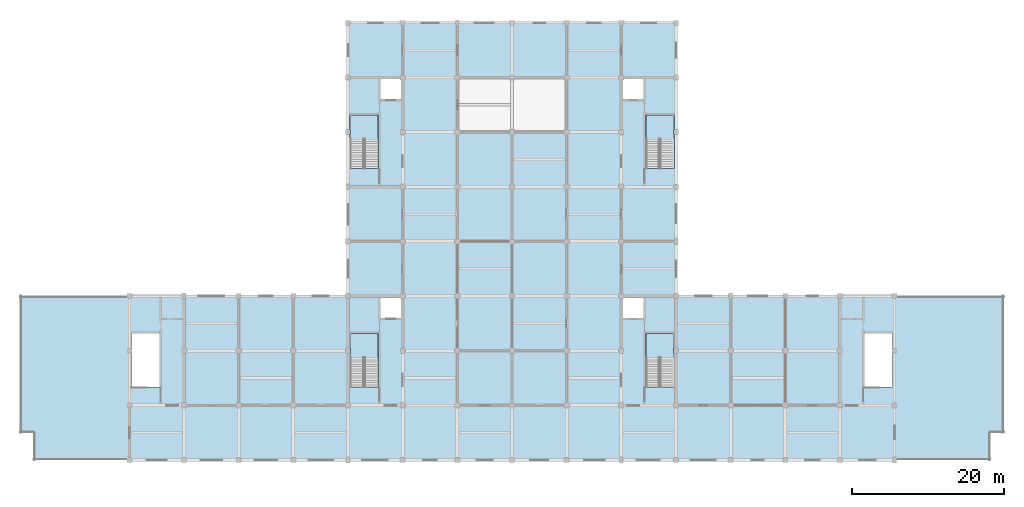
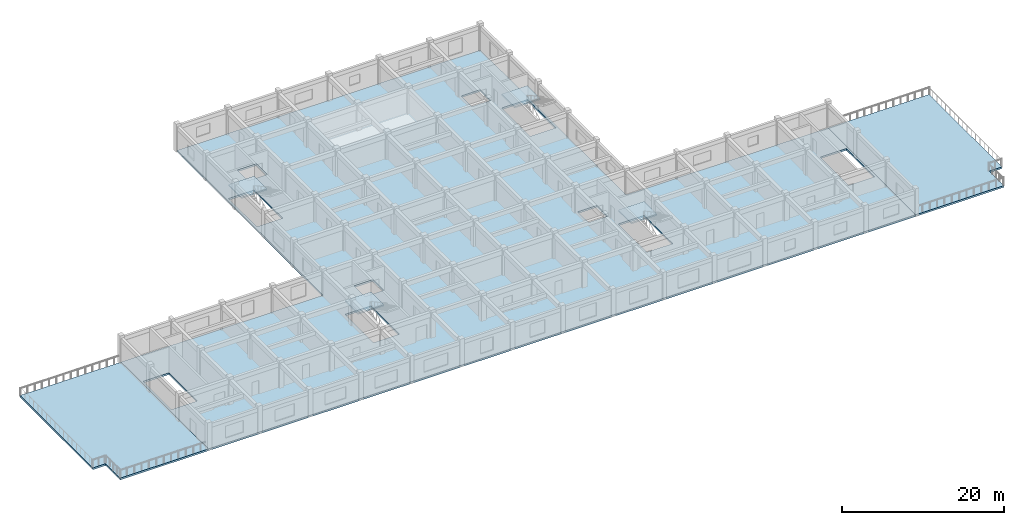
# One storey, part 3 of 10: 7 slabs, 4 elements without a shape of their own.
"""IFC4 building model written with IfcOpenShell, lengths in metres."""

import ifcopenshell
import ifcopenshell.guid

model = None  # the IFC model being written
_history = None  # IfcOwnerHistory: only IFC2X3 demands one
_inside = {}  # id of a spatial element -> (the spatial element, [elements in it])
_under = {}  # id of a project, library or spatial element -> (it, [spatial elements below it])
_declared = {}  # id of a project -> (the project, [libraries it declares])
_typed = {}  # id of a type object -> (the type object, [elements of that type])
_made_of = {}  # id of a material, layer set ... -> (it, [elements and type objects made of it])


def new_model(schema):
    """Start an empty IFC model of exactly this schema.

    Asked for "IFC4X3", IfcOpenShell would pick the latest addendum, in which some entities
    have other attributes; the version numbers below select the first issue.
    IFC2X3 requires an IfcOwnerHistory on every rooted entity: one is made here for all.
    """
    global model, _history
    if schema == "IFC4X3":
        model = ifcopenshell.file(schema_version=(4, 3, 0, 0))
    else:
        model = ifcopenshell.file(schema=schema)
    _inside.clear()
    _under.clear()
    _declared.clear()
    _typed.clear()
    _made_of.clear()
    _history = None
    if model.schema == "IFC2X3":
        org = make("IfcOrganization", Name="unknown")
        user = make(
            "IfcPersonAndOrganization",
            ThePerson=make("IfcPerson", FamilyName="unknown"),
            TheOrganization=org,
        )
        app = make(
            "IfcApplication",
            ApplicationDeveloper=org,
            Version="unknown",
            ApplicationFullName="unknown",
            ApplicationIdentifier="unknown",
        )
        _history = make(
            "IfcOwnerHistory",
            OwningUser=user,
            OwningApplication=app,
            ChangeAction="ADDED",
            CreationDate=0,
        )
    return model


def make(cls, **values):
    """One entity of the class cls with the attributes given. An attribute that is None is left unset."""
    return model.create_entity(
        cls, **{name: value for name, value in values.items() if value is not None}
    )


def rooted(cls, **values):
    """An entity with a GlobalId (a new one), such as an element, a storey or a relation."""
    return make(cls, GlobalId=ifcopenshell.guid.new(), OwnerHistory=_history, **values)


def si_unit(unit_type, name, prefix=None):
    """IfcSIUnit, for example si_unit("LENGTHUNIT", "METRE", prefix="MILLI")."""
    return make("IfcSIUnit", UnitType=unit_type, Prefix=prefix, Name=name)


def assignment(units):
    """IfcUnitAssignment: the units of a project."""
    return None if units is None else make("IfcUnitAssignment", Units=units)


def point(xyz):
    """IfcCartesianPoint."""
    return None if xyz is None else make("IfcCartesianPoint", Coordinates=xyz)


def direction(xyz):
    """IfcDirection."""
    return None if xyz is None else make("IfcDirection", DirectionRatios=xyz)


def frame(location, z_axis=None, x_axis=None):
    """IfcAxis2Placement3D, a coordinate frame: its origin and axes. An axis left out is left unset."""
    return make(
        "IfcAxis2Placement3D",
        Location=point(location),
        Axis=direction(z_axis),
        RefDirection=direction(x_axis),
    )


def origin():
    """The frame at (0, 0, 0) with its axes left unset."""
    return frame((0.0, 0.0, 0.0))


def place(relative_to, where):
    """IfcLocalPlacement: puts the frame where relative to a parent placement (None: the world)."""
    return make(
        "IfcLocalPlacement", PlacementRelTo=relative_to, RelativePlacement=where
    )


def context(
    kind, dimensions, precision=None, world=None, true_north=None, identifier=None
):
    """IfcGeometricRepresentationContext, for example the 3D "Model" context."""
    return make(
        "IfcGeometricRepresentationContext",
        ContextIdentifier=identifier,
        ContextType=kind,
        CoordinateSpaceDimension=dimensions,
        Precision=precision,
        WorldCoordinateSystem=world,
        TrueNorth=true_north,
    )


def subcontext(parent, identifier, kind, view, scale=None):
    """IfcGeometricRepresentationSubContext, for example "Body" below "Model"."""
    return make(
        "IfcGeometricRepresentationSubContext",
        ContextIdentifier=identifier,
        ContextType=kind,
        ParentContext=parent,
        TargetScale=scale,
        TargetView=view,
    )


def project(units=None, contexts=None):
    """IfcProject with its units and contexts."""
    return rooted(
        "IfcProject",
        Name="project",
        RepresentationContexts=contexts,
        UnitsInContext=assignment(units),
    )


def spatial(cls, under=None, at=None, **own):
    """A site, building, storey or space (cls), placed at a placement, below another one or the project."""
    s = rooted(cls, ObjectPlacement=at, **own)
    if under is not None:
        _under.setdefault(under.id(), (under, []))[1].append(s)
    return s


def polyline(points):
    """IfcPolyline through the points."""
    return make("IfcPolyline", Points=[point(p) for p in points])


def outline(outer, holes=None, kind="AREA"):
    """IfcArbitraryClosedProfileDef: a profile drawn as a closed curve; with holes, ...WithVoids."""
    if holes is None:
        return make("IfcArbitraryClosedProfileDef", ProfileType=kind, OuterCurve=outer)
    return make(
        "IfcArbitraryProfileDefWithVoids",
        ProfileType=kind,
        OuterCurve=outer,
        InnerCurves=holes,
    )


def extrude(swept, where, along, depth):
    """IfcExtrudedAreaSolid: the profile swept, set in the frame where, extruded along a direction by depth."""
    return make(
        "IfcExtrudedAreaSolid",
        SweptArea=swept,
        Position=where,
        ExtrudedDirection=direction(along),
        Depth=depth,
    )


def shape(context_of_items, identifier, shape_type, items):
    """IfcShapeRepresentation: the items that make up one representation, for example the "Body"."""
    return make(
        "IfcShapeRepresentation",
        ContextOfItems=context_of_items,
        RepresentationIdentifier=identifier,
        RepresentationType=shape_type,
        Items=items,
    )


def material(Name=None, Category=None):
    """IfcMaterial."""
    return make("IfcMaterial", Name=Name, Category=Category)


def layer(
    of_material, thickness, ventilated=None, Name=None, Category=None, Priority=None
):
    """IfcMaterialLayer: one layer of a wall or slab, of a material (None: an air gap)."""
    return make(
        "IfcMaterialLayer",
        Material=of_material,
        LayerThickness=thickness,
        IsVentilated=ventilated,
        Name=Name,
        Category=Category,
        Priority=Priority,
    )


def layer_set(layers, Name=None):
    """IfcMaterialLayerSet."""
    return make("IfcMaterialLayerSet", MaterialLayers=layers, LayerSetName=Name)


def made_of(thing, what):
    """Note that an element or type object is made of a material, layer set ...; save() writes the relation."""
    if what is not None:
        _made_of.setdefault(what.id(), (what, []))[1].append(thing)
    return thing


def type_object(cls, material=None, **own):
    """A type object (cls), such as IfcWallType, which elements share."""
    return made_of(rooted(cls, **own), material)


def element(
    cls,
    number,
    at=None,
    inside=None,
    cuts=None,
    type_object=None,
    material=None,
    context=None,
    identifier="Body",
    shape_type=None,
    held_by="IfcProductDefinitionShape",
    body=None,
    shapes=None,
    **own,
):
    """One element of the class cls, such as IfcWall. Its Tag is "e" and its number.

    at: its placement. inside: the storey or other place that contains it. cuts: it is an
    opening in that element (IfcRelVoidsElement). A single representation is given by context,
    identifier, shape_type and body (its items); several are given by shapes. held_by: the class
    of the entity that holds the representations. save() writes the other relations.
    """
    e = rooted(cls, Tag="e%d" % number, ObjectPlacement=at, **own)
    if body is not None:
        shapes = [shape(context, identifier, shape_type, body)]
    if shapes is not None:
        e.Representation = make(held_by, Representations=shapes)
    if inside is not None:
        _inside.setdefault(inside.id(), (inside, []))[1].append(e)
    if cuts is not None:
        rooted(
            "IfcRelVoidsElement", RelatingBuildingElement=cuts, RelatedOpeningElement=e
        )
    if type_object is not None:
        _typed.setdefault(type_object.id(), (type_object, []))[1].append(e)
    return made_of(e, material)


def aggregate(whole, parts):
    """IfcRelAggregates: a whole, such as a stair, and the parts it consists of."""
    return rooted("IfcRelAggregates", RelatingObject=whole, RelatedObjects=parts)


def save(model, path):
    """Write the relations noted so far, then the file.

    IfcRelAggregates (storeys below a building ...), IfcRelContainedInSpatialStructure (elements
    in a storey), IfcRelDefinesByType, IfcRelAssociatesMaterial and IfcRelDeclares: one each for
    every whole, place, type object, material and project.
    """
    for whole, parts in _under.values():
        aggregate(whole, parts)
    for where, things in _inside.values():
        rooted(
            "IfcRelContainedInSpatialStructure",
            RelatedElements=things,
            RelatingStructure=where,
        )
    for kind, things in _typed.values():
        rooted("IfcRelDefinesByType", RelatedObjects=things, RelatingType=kind)
    for what, things in _made_of.values():
        rooted("IfcRelAssociatesMaterial", RelatedObjects=things, RelatingMaterial=what)
    for by, libraries in _declared.values():
        rooted("IfcRelDeclares", RelatingContext=by, RelatedDefinitions=libraries)
    model.write(path)


model = new_model("IFC4")

# Units and contexts
model_context = context("Model", 3, precision=1e-05, world=origin(), true_north=direction((0.0, 1.0)))
body_context = subcontext(model_context, "Body", "Model", "MODEL_VIEW")
ifc_project = project(units=[si_unit("LENGTHUNIT", "METRE"), si_unit("AREAUNIT", "SQUARE_METRE"), si_unit("VOLUMEUNIT", "CUBIC_METRE"), si_unit("PLANEANGLEUNIT", "RADIAN"), si_unit("MASSUNIT", "GRAM", prefix="KILO")], contexts=[model_context])

# Site, building, storey
site_placement = place(None, origin())
site = spatial("IfcSite", under=ifc_project, at=site_placement, CompositionType="ELEMENT")
building_placement = place(site_placement, origin())
building = spatial("IfcBuilding", under=site, at=building_placement, Name="Cendaluz Park School", CompositionType="ELEMENT")
storey_placement = place(building_placement, frame((0.0, 0.0, 30.60009765625)))
storey = spatial("IfcBuildingStorey", under=building, at=storey_placement, Name="L07", CompositionType="ELEMENT", Elevation=30.60009765625)

# Slab
ifc_material = material(Name="Concrete C40/50", Category="concrete")
ifc_layer_1 = layer(ifc_material, 0.27001953125)
ifc_layer_set_1 = layer_set([ifc_layer_1], Name="Concrete C40/50")
slab_type_1 = type_object("IfcSlabType", Name="SL-FL-270", PredefinedType="FLOOR", material=ifc_layer_set_1)
slab_1_placement = place(storey_placement, frame((0.0, 0.0, -0.27001953125)))
element("IfcSlab", 1, at=slab_1_placement, inside=storey, type_object=slab_type_1, Name="SL-L07-01", PredefinedType="FLOOR", context=body_context, shape_type="SweptSolid", body=[
    extrude(outline(polyline([(64.800048828125, 64.800048828125), (108.0, 64.800048828125), (108.0, 28.800048828125), (136.800048828125, 28.800048828125), (136.800048828125, 7.199951171875), (36.0, 7.199951171875), (36.0, 28.800048828125), (64.800048828125, 28.800048828125), (64.800048828125, 64.800048828125)]), holes=[polyline([(65.080078125, 23.840087890625), (65.080078125, 16.820068359375), (68.77001953125, 16.820068359375), (68.77001953125, 23.840087890625), (65.080078125, 23.840087890625)]), polyline([(71.800048828125, 28.60009765625), (69.10009765625, 28.60009765625), (69.10009765625, 25.93994140625), (71.800048828125, 25.93994140625), (71.800048828125, 28.60009765625)]), polyline([(107.719970703125, 16.820068359375), (107.719970703125, 23.840087890625), (104.030029296875, 23.840087890625), (104.030029296875, 16.820068359375), (107.719970703125, 16.820068359375)]), polyline([(101.0, 25.93994140625), (103.699951171875, 25.93994140625), (103.699951171875, 28.60009765625), (101.0, 28.60009765625), (101.0, 25.93994140625)]), polyline([(65.080078125, 52.639892578125), (65.080078125, 45.6201171875), (68.77001953125, 45.6201171875), (68.77001953125, 52.639892578125), (65.080078125, 52.639892578125)]), polyline([(71.800048828125, 57.39990234375), (69.10009765625, 57.39990234375), (69.10009765625, 54.739990234375), (71.800048828125, 54.739990234375), (71.800048828125, 57.39990234375)]), polyline([(107.719970703125, 45.6201171875), (107.719970703125, 52.639892578125), (104.030029296875, 52.639892578125), (104.030029296875, 45.6201171875), (107.719970703125, 45.6201171875)]), polyline([(101.0, 54.739990234375), (103.699951171875, 54.739990234375), (103.699951171875, 57.39990234375), (101.0, 57.39990234375), (101.0, 54.739990234375)]), polyline([(36.280029296875, 23.840087890625), (36.280029296875, 16.820068359375), (39.969970703125, 16.820068359375), (39.969970703125, 23.840087890625), (36.280029296875, 23.840087890625)]), polyline([(136.52001953125, 23.840087890625), (132.830078125, 23.840087890625), (132.830078125, 16.820068359375), (136.52001953125, 16.820068359375), (136.52001953125, 23.840087890625)])]), origin(), (0.0, 0.0, 1.0), 0.27001953125),
])

# Stair, slab
stair_type = type_object("IfcStairType", Name="ST-420-180", PredefinedType="HALF_TURN_STAIR", material=ifc_material)
stair_1_placement = place(storey_placement, origin())
stair_1 = element("IfcStair", 2, at=stair_1_placement, inside=storey, type_object=stair_type, Name="ST-L07-C1", PredefinedType="HALF_TURN_STAIR")
ifc_layer_2 = layer(ifc_material, 0.199951171875)
ifc_layer_set_2 = layer_set([ifc_layer_2], Name="Concrete C40/50")
slab_type_2 = type_object("IfcSlabType", Name="SL-LD-200", PredefinedType="LANDING", material=ifc_layer_set_2)
slab_2_placement = place(storey_placement, frame((0.0, 0.0, 1.89990234375)))
slab_2 = element("IfcSlab", 3, at=slab_2_placement, type_object=slab_type_2, Name="SL-LD-L07-C1", PredefinedType="LANDING", context=body_context, shape_type="SweptSolid", body=[
    extrude(outline(polyline([(65.090087890625, 20.659912109375), (68.77001953125, 20.659912109375), (68.77001953125, 23.860107421875), (65.090087890625, 23.860107421875), (65.090087890625, 20.659912109375)])), origin(), (0.0, 0.0, 1.0), 0.199951171875),
])
aggregate(stair_1, [slab_2])

stair_2_placement = place(storey_placement, origin())
stair_2 = element("IfcStair", 4, at=stair_2_placement, inside=storey, type_object=stair_type, Name="ST-L07-C2", PredefinedType="HALF_TURN_STAIR")
slab_3_placement = place(storey_placement, frame((0.0, 0.0, 1.89990234375)))
slab_3 = element("IfcSlab", 5, at=slab_3_placement, type_object=slab_type_2, Name="SL-LD-L07-C2", PredefinedType="LANDING", context=body_context, shape_type="SweptSolid", body=[
    extrude(outline(polyline([(104.030029296875, 20.659912109375), (107.7099609375, 20.659912109375), (107.7099609375, 23.860107421875), (104.030029296875, 23.860107421875), (104.030029296875, 20.659912109375)])), origin(), (0.0, 0.0, 1.0), 0.199951171875),
])
aggregate(stair_2, [slab_3])

stair_3_placement = place(storey_placement, origin())
stair_3 = element("IfcStair", 6, at=stair_3_placement, inside=storey, type_object=stair_type, Name="ST-L07-C3", PredefinedType="HALF_TURN_STAIR")
slab_4_placement = place(storey_placement, frame((0.0, 0.0, 1.89990234375)))
slab_4 = element("IfcSlab", 7, at=slab_4_placement, type_object=slab_type_2, Name="SL-LD-L07-C3", PredefinedType="LANDING", context=body_context, shape_type="SweptSolid", body=[
    extrude(outline(polyline([(65.090087890625, 49.4599609375), (68.77001953125, 49.4599609375), (68.77001953125, 52.659912109375), (65.090087890625, 52.659912109375), (65.090087890625, 49.4599609375)])), origin(), (0.0, 0.0, 1.0), 0.199951171875),
])
aggregate(stair_3, [slab_4])

stair_4_placement = place(storey_placement, origin())
stair_4 = element("IfcStair", 8, at=stair_4_placement, inside=storey, type_object=stair_type, Name="ST-L07-C4", PredefinedType="HALF_TURN_STAIR")
slab_5_placement = place(storey_placement, frame((0.0, 0.0, 1.89990234375)))
slab_5 = element("IfcSlab", 9, at=slab_5_placement, type_object=slab_type_2, Name="SL-LD-L07-C4", PredefinedType="LANDING", context=body_context, shape_type="SweptSolid", body=[
    extrude(outline(polyline([(104.030029296875, 49.4599609375), (107.7099609375, 49.4599609375), (107.7099609375, 52.659912109375), (104.030029296875, 52.659912109375), (104.030029296875, 49.4599609375)])), origin(), (0.0, 0.0, 1.0), 0.199951171875),
])
aggregate(stair_4, [slab_5])

# Slabs
ifc_layer_3 = layer(ifc_material, 0.27001953125)
ifc_layer_set_3 = layer_set([ifc_layer_3], Name="Concrete C40/50")
slab_type_3 = type_object("IfcSlabType", Name="SL-PD-270", PredefinedType="FLOOR", material=ifc_layer_set_3)
slab_6_placement = place(storey_placement, frame((0.0, 0.0, -0.27001953125)))
element("IfcSlab", 10, at=slab_6_placement, inside=storey, type_object=slab_type_3, Name="Play Deck Slab PD-L07-W", PredefinedType="FLOOR", context=body_context, shape_type="SweptSolid", body=[
    extrude(outline(polyline([(21.60009765625, 28.800048828125), (36.0, 28.800048828125), (36.0, 7.199951171875), (23.39990234375, 7.199951171875), (23.39990234375, 10.800048828125), (21.60009765625, 10.800048828125), (21.60009765625, 28.800048828125)])), origin(), (0.0, 0.0, 1.0), 0.27001953125),
])
slab_7_placement = place(storey_placement, frame((0.0, 0.0, -0.27001953125)))
element("IfcSlab", 11, at=slab_7_placement, inside=storey, type_object=slab_type_3, Name="Play Deck Slab PD-L07-E", PredefinedType="FLOOR", context=body_context, shape_type="SweptSolid", body=[
    extrude(outline(polyline([(136.800048828125, 28.800048828125), (151.199951171875, 28.800048828125), (151.199951171875, 10.800048828125), (149.39990234375, 10.800048828125), (149.39990234375, 7.199951171875), (136.800048828125, 7.199951171875), (136.800048828125, 28.800048828125)])), origin(), (0.0, 0.0, 1.0), 0.27001953125),
])

save(model, "model.ifc")
